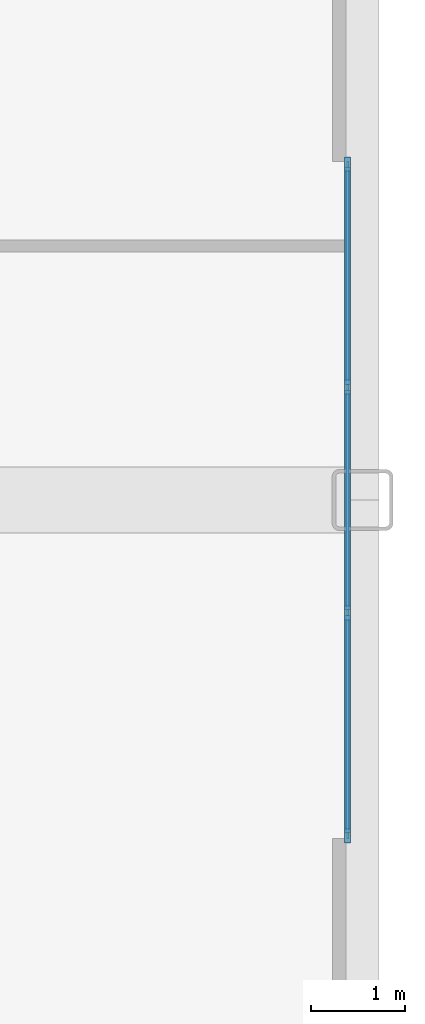
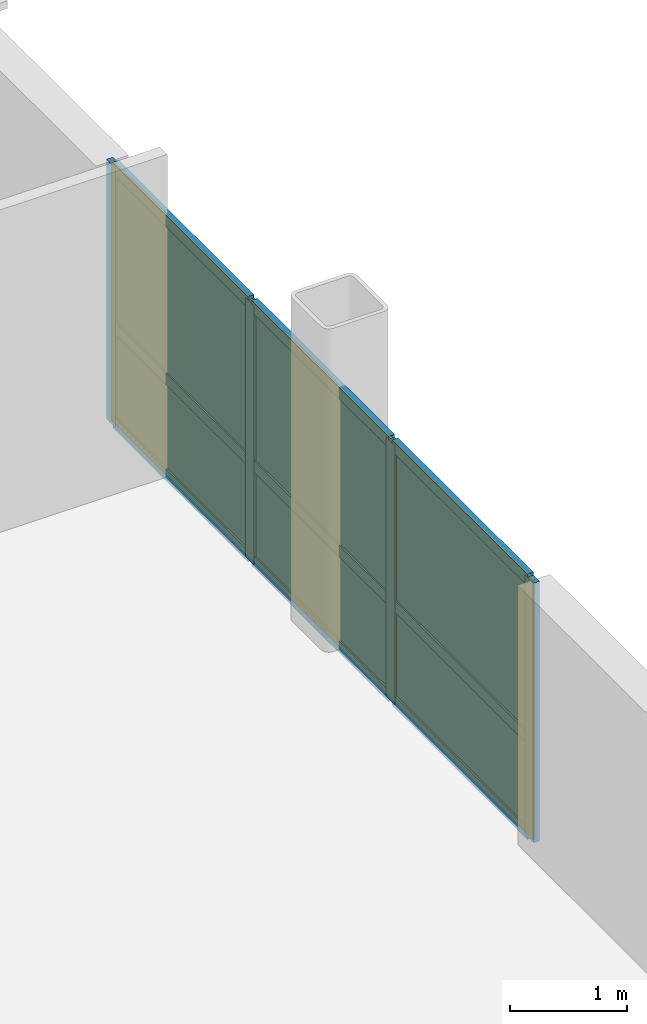
# One storey, part 12 of 16: 13 members, 6 plates, 1 curtain wall.
"""IFC4 building model written with IfcOpenShell, lengths in metres."""

from ifc_helpers import new_model, si_unit, direction, frame, frame_2d, origin, origin_2d, place, context, subcontext, project, spatial, rectangle, extrude, source, transform, mapped, material, layer, layer_set, material_profile, profile_set, type_object, type_shapes, element, aggregate, save


model = new_model("IFC4")

# Units and contexts
model_context = context("Model", 3, precision=1e-05, world=origin(), true_north=direction((0.0, 1.0)))
body_context = subcontext(model_context, "Body", "Model", "MODEL_VIEW")
ifc_project = project(units=[si_unit("LENGTHUNIT", "METRE"), si_unit("AREAUNIT", "SQUARE_METRE"), si_unit("VOLUMEUNIT", "CUBIC_METRE"), si_unit("PLANEANGLEUNIT", "RADIAN"), si_unit("MASSUNIT", "GRAM", prefix="KILO")], contexts=[model_context])

# Member
ifc_material_1 = material(Name="Anodised aluminium 6063-T6", Category="aluminium")
ifc_material_profile_1 = material_profile(ifc_material_1, rectangle(XDim=0.06005859375, YDim=0.14990234375, at=origin_2d()), Name="ALU-MULL-60x150")
ifc_profile_set_1 = profile_set([ifc_material_profile_1], Name="Anodised aluminium 6063-T6")
member_type_1 = type_object("IfcMemberType", Name="CWM-3", PredefinedType="MULLION", material=ifc_profile_set_1)
site_placement = place(None, origin())
building_placement = place(site_placement, origin())
storey_placement = place(building_placement, frame((0.0, 0.0, 116.550048828125)))
member_1_placement = place(storey_placement, frame((26.239990234375, -3.570068359375, 0.0), z_axis=(0.0, 0.0, 1.0), x_axis=(-1.0, 0.0, 0.0)))
member_1 = element("IfcMember", 1, at=member_1_placement, type_object=member_type_1, Name="CWS-3 mullion 1", PredefinedType="MULLION", context=body_context, shape_type="SweptSolid", body=[
    extrude(rectangle(XDim=0.06005859375, YDim=0.14990234375, at=origin_2d()), origin(), (0.0, 0.0, 1.0), 2.704833984375),
])

member_2_placement = place(storey_placement, frame((26.239990234375, -1.199951171875, 0.0), z_axis=(0.0, 0.0, 1.0), x_axis=(-1.0, 0.0, 0.0)))
member_2 = element("IfcMember", 2, at=member_2_placement, type_object=member_type_1, Name="CWS-3 mullion 2", PredefinedType="MULLION", context=body_context, shape_type="SweptSolid", body=[
    extrude(rectangle(XDim=0.06005859375, YDim=0.14990234375, at=origin_2d()), origin(), (0.0, 0.0, 1.0), 2.704833984375),
])

member_3_placement = place(storey_placement, frame((26.239990234375, 1.199951171875, 0.0), z_axis=(0.0, 0.0, 1.0), x_axis=(-1.0, 0.0, 0.0)))
member_3 = element("IfcMember", 3, at=member_3_placement, type_object=member_type_1, Name="CWS-3 mullion 3", PredefinedType="MULLION", context=body_context, shape_type="SweptSolid", body=[
    extrude(rectangle(XDim=0.06005859375, YDim=0.14990234375, at=origin_2d()), origin(), (0.0, 0.0, 1.0), 2.704833984375),
])

member_4_placement = place(storey_placement, frame((26.239990234375, 3.570068359375, 0.0), z_axis=(0.0, 0.0, 1.0), x_axis=(-1.0, 0.0, 0.0)))
member_4 = element("IfcMember", 4, at=member_4_placement, type_object=member_type_1, Name="CWS-3 mullion 4", PredefinedType="MULLION", context=body_context, shape_type="SweptSolid", body=[
    extrude(rectangle(XDim=0.06005859375, YDim=0.14990234375, at=origin_2d()), origin(), (0.0, 0.0, 1.0), 2.704833984375),
])

ifc_material_profile_2 = material_profile(ifc_material_1, rectangle(XDim=0.06005859375, YDim=0.1201171875, at=origin_2d()), Name="ALU-TRAN-60x120")
ifc_profile_set_2 = profile_set([ifc_material_profile_2], Name="Anodised aluminium 6063-T6")
member_type_2 = type_object("IfcMemberType", Name="CWT-3", PredefinedType="USERDEFINED", material=ifc_profile_set_2)
member_5_placement = place(storey_placement, frame((26.239990234375, -3.5400390625, 0.030029296875), z_axis=(0.0, 1.0, 0.0), x_axis=(-1.0, 0.0, 0.0)))
member_5 = element("IfcMember", 5, at=member_5_placement, type_object=member_type_2, Name="CWS-3 transom 1.1", ObjectType="TRANSOM", PredefinedType="USERDEFINED", context=body_context, shape_type="SweptSolid", body=[
    extrude(rectangle(XDim=0.06005859375, YDim=0.1201171875, at=origin_2d()), origin(), (0.0, 0.0, 1.0), 2.31005859375),
])

member_6_placement = place(storey_placement, frame((26.239990234375, -3.5400390625, 1.02783203125), z_axis=(0.0, 1.0, 0.0), x_axis=(-1.0, 0.0, 0.0)))
member_6 = element("IfcMember", 6, at=member_6_placement, type_object=member_type_2, Name="CWS-3 transom 1.2", ObjectType="TRANSOM", PredefinedType="USERDEFINED", context=body_context, shape_type="SweptSolid", body=[
    extrude(rectangle(XDim=0.06005859375, YDim=0.1201171875, at=origin_2d()), origin(), (0.0, 0.0, 1.0), 2.31005859375),
])

member_7_placement = place(storey_placement, frame((26.239990234375, -3.5400390625, 2.675048828125), z_axis=(0.0, 1.0, 0.0), x_axis=(-1.0, 0.0, 0.0)))
member_7 = element("IfcMember", 7, at=member_7_placement, type_object=member_type_2, Name="CWS-3 transom 1.3", ObjectType="TRANSOM", PredefinedType="USERDEFINED", context=body_context, shape_type="SweptSolid", body=[
    extrude(rectangle(XDim=0.06005859375, YDim=0.1201171875, at=origin_2d()), origin(), (0.0, 0.0, 1.0), 2.31005859375),
])

member_8_placement = place(storey_placement, frame((26.239990234375, -1.169921875, 0.030029296875), z_axis=(0.0, 1.0, 0.0), x_axis=(-1.0, 0.0, 0.0)))
member_8 = element("IfcMember", 8, at=member_8_placement, type_object=member_type_2, Name="CWS-3 transom 2.1", ObjectType="TRANSOM", PredefinedType="USERDEFINED", context=body_context, shape_type="SweptSolid", body=[
    extrude(rectangle(XDim=0.06005859375, YDim=0.1201171875, at=origin_2d()), origin(), (0.0, 0.0, 1.0), 2.33984375),
])

member_9_placement = place(storey_placement, frame((26.239990234375, -1.169921875, 1.02783203125), z_axis=(0.0, 1.0, 0.0), x_axis=(-1.0, 0.0, 0.0)))
member_9 = element("IfcMember", 9, at=member_9_placement, type_object=member_type_2, Name="CWS-3 transom 2.2", ObjectType="TRANSOM", PredefinedType="USERDEFINED", context=body_context, shape_type="SweptSolid", body=[
    extrude(rectangle(XDim=0.06005859375, YDim=0.1201171875, at=origin_2d()), origin(), (0.0, 0.0, 1.0), 2.33984375),
])

member_10_placement = place(storey_placement, frame((26.239990234375, -1.169921875, 2.675048828125), z_axis=(0.0, 1.0, 0.0), x_axis=(-1.0, 0.0, 0.0)))
member_10 = element("IfcMember", 10, at=member_10_placement, type_object=member_type_2, Name="CWS-3 transom 2.3", ObjectType="TRANSOM", PredefinedType="USERDEFINED", context=body_context, shape_type="SweptSolid", body=[
    extrude(rectangle(XDim=0.06005859375, YDim=0.1201171875, at=origin_2d()), origin(), (0.0, 0.0, 1.0), 2.33984375),
])

member_11_placement = place(storey_placement, frame((26.239990234375, 1.22998046875, 0.030029296875), z_axis=(0.0, 1.0, 0.0), x_axis=(-1.0, 0.0, 0.0)))
member_11 = element("IfcMember", 11, at=member_11_placement, type_object=member_type_2, Name="CWS-3 transom 3.1", ObjectType="TRANSOM", PredefinedType="USERDEFINED", context=body_context, shape_type="SweptSolid", body=[
    extrude(rectangle(XDim=0.06005859375, YDim=0.1201171875, at=origin_2d()), origin(), (0.0, 0.0, 1.0), 2.31005859375),
])

member_12_placement = place(storey_placement, frame((26.239990234375, 1.22998046875, 1.02783203125), z_axis=(0.0, 1.0, 0.0), x_axis=(-1.0, 0.0, 0.0)))
member_12 = element("IfcMember", 12, at=member_12_placement, type_object=member_type_2, Name="CWS-3 transom 3.2", ObjectType="TRANSOM", PredefinedType="USERDEFINED", context=body_context, shape_type="SweptSolid", body=[
    extrude(rectangle(XDim=0.06005859375, YDim=0.1201171875, at=origin_2d()), origin(), (0.0, 0.0, 1.0), 2.31005859375),
])

member_13_placement = place(storey_placement, frame((26.239990234375, 1.22998046875, 2.675048828125), z_axis=(0.0, 1.0, 0.0), x_axis=(-1.0, 0.0, 0.0)))
member_13 = element("IfcMember", 13, at=member_13_placement, type_object=member_type_2, Name="CWS-3 transom 3.3", ObjectType="TRANSOM", PredefinedType="USERDEFINED", context=body_context, shape_type="SweptSolid", body=[
    extrude(rectangle(XDim=0.06005859375, YDim=0.1201171875, at=origin_2d()), origin(), (0.0, 0.0, 1.0), 2.31005859375),
])

# Plate
ifc_material_2 = material(Name="Insulated solar-control glass", Category="glass")
ifc_layer_1 = layer(ifc_material_2, 0.028076171875, Name="CWP-3")
ifc_layer_set_1 = layer_set([ifc_layer_1], Name="Insulated solar-control glass")
plate_type = type_object("IfcPlateType", Name="CWP-3", PredefinedType="CURTAIN_PANEL", material=ifc_layer_set_1)
shared_shape_1 = source(origin(), body_context, "Body", "SweptSolid", [
    extrude(rectangle(XDim=2.31005859375, YDim=0.028076171875, at=origin_2d()), origin(), (0.0, 0.0, 1.0), 0.93798828125),
])
plate_1_placement = place(storey_placement, frame((26.239990234375, -2.385009765625, 0.059814453125), z_axis=(0.0, 0.0, 1.0), x_axis=(0.0, 1.0, 0.0)))
plate_1 = element("IfcPlate", 14, at=plate_1_placement, type_object=plate_type, Name="CWS-3 panel 1.1", PredefinedType="CURTAIN_PANEL", context=body_context, shape_type="MappedRepresentation", body=[
    mapped(shared_shape_1, transform((0.0, 0.0, 0.0), scale=1.0)),
])

plate_2_placement = place(storey_placement, frame((26.239990234375, 2.385009765625, 0.059814453125), z_axis=(0.0, 0.0, 1.0), x_axis=(0.0, 1.0, 0.0)))
plate_2 = element("IfcPlate", 15, at=plate_2_placement, type_object=plate_type, Name="CWS-3 panel 3.1", PredefinedType="CURTAIN_PANEL", context=body_context, shape_type="MappedRepresentation", body=[
    mapped(shared_shape_1, transform((0.0, 0.0, 0.0), scale=1.0)),
])

shared_shape_2 = source(origin(), body_context, "Body", "SweptSolid", [
    extrude(rectangle(XDim=2.31005859375, YDim=0.028076171875, at=origin_2d()), origin(), (0.0, 0.0, 1.0), 1.587158203125),
])
plate_3_placement = place(storey_placement, frame((26.239990234375, -2.385009765625, 1.0576171875), z_axis=(0.0, 0.0, 1.0), x_axis=(0.0, 1.0, 0.0)))
plate_3 = element("IfcPlate", 16, at=plate_3_placement, type_object=plate_type, Name="CWS-3 panel 1.2", PredefinedType="CURTAIN_PANEL", context=body_context, shape_type="MappedRepresentation", body=[
    mapped(shared_shape_2, transform((0.0, 0.0, 0.0), scale=1.0)),
])

plate_4_placement = place(storey_placement, frame((26.239990234375, 2.385009765625, 1.0576171875), z_axis=(0.0, 0.0, 1.0), x_axis=(0.0, 1.0, 0.0)))
plate_4 = element("IfcPlate", 17, at=plate_4_placement, type_object=plate_type, Name="CWS-3 panel 3.2", PredefinedType="CURTAIN_PANEL", context=body_context, shape_type="MappedRepresentation", body=[
    mapped(shared_shape_2, transform((0.0, 0.0, 0.0), scale=1.0)),
])

shared_shape_3 = source(origin(), body_context, "Body", "SweptSolid", [
    extrude(rectangle(XDim=2.340087890625, YDim=0.028076171875, at=origin_2d()), origin(), (0.0, 0.0, 1.0), 0.93798828125),
])
plate_5_placement = place(storey_placement, frame((26.239990234375, 0.0, 0.059814453125), z_axis=(0.0, 0.0, 1.0), x_axis=(0.0, 1.0, 0.0)))
plate_5 = element("IfcPlate", 18, at=plate_5_placement, type_object=plate_type, Name="CWS-3 panel 2.1", PredefinedType="CURTAIN_PANEL", context=body_context, shape_type="MappedRepresentation", body=[
    mapped(shared_shape_3, transform((0.0, 0.0, 0.0), scale=1.0)),
])

shared_shape_4 = source(origin(), body_context, "Body", "SweptSolid", [
    extrude(rectangle(XDim=2.340087890625, YDim=0.028076171875, at=origin_2d()), origin(), (0.0, 0.0, 1.0), 1.587158203125),
])
type_shapes(plate_type, [shared_shape_1, shared_shape_2, shared_shape_3, shared_shape_4])
plate_6_placement = place(storey_placement, frame((26.239990234375, 0.0, 1.0576171875), z_axis=(0.0, 0.0, 1.0), x_axis=(0.0, 1.0, 0.0)))
plate_6 = element("IfcPlate", 19, at=plate_6_placement, type_object=plate_type, Name="CWS-3 panel 2.2", PredefinedType="CURTAIN_PANEL", context=body_context, shape_type="MappedRepresentation", body=[
    mapped(shared_shape_4, transform((0.0, 0.0, 0.0), scale=1.0)),
])

# Site, building, storey
site = spatial("IfcSite", under=ifc_project, at=site_placement, CompositionType="ELEMENT")
building = spatial("IfcBuilding", under=site, at=building_placement, Name="Nuvemarco Arch Tower", CompositionType="ELEMENT")
storey = spatial("IfcBuildingStorey", under=building, at=storey_placement, Name="L30", CompositionType="ELEMENT", Elevation=116.550048828125)

# Curtain wall
ifc_layer_2 = layer(ifc_material_2, 0.14990234375, Name="CW-SYS-3")
ifc_layer_set_2 = layer_set([ifc_layer_2], Name="Insulated solar-control glass")
curtain_wall_type = type_object("IfcCurtainWallType", Name="CW-SYS-3", PredefinedType="NOTDEFINED", material=ifc_layer_set_2)
curtain_wall_placement = place(storey_placement, frame((26.239990234375, -3.60009765625, 0.0), z_axis=(0.0, 0.0, 1.0), x_axis=(0.0, 1.0, 0.0)))
curtain_wall = element("IfcCurtainWall", 20, at=curtain_wall_placement, inside=storey, type_object=curtain_wall_type, Name="L30 curtain wall CWS-3", PredefinedType="NOTDEFINED", context=body_context, shape_type="SweptSolid", body=[
    extrude(rectangle(XDim=7.2001953125, YDim=0.02001953125, at=frame_2d((3.60009765625, 0.0))), origin(), (0.0, 0.0, 1.0), 2.704833984375),
])

aggregate(curtain_wall, [member_1, member_2, member_3, member_4, member_5, member_6, member_7, plate_1, plate_3, member_8, member_9, member_10, plate_5, plate_6, member_11, member_12, member_13, plate_2, plate_4])

save(model, "model.ifc")
